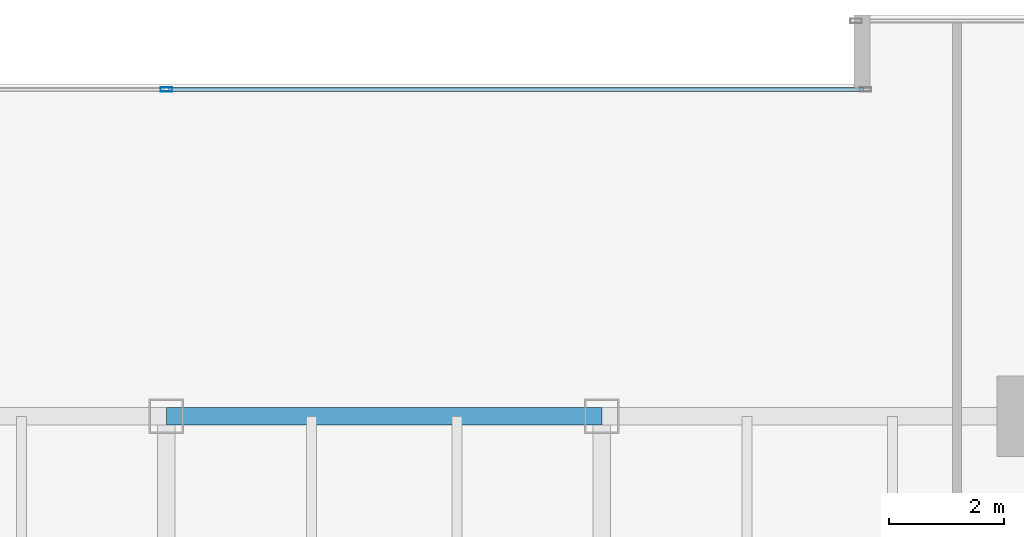
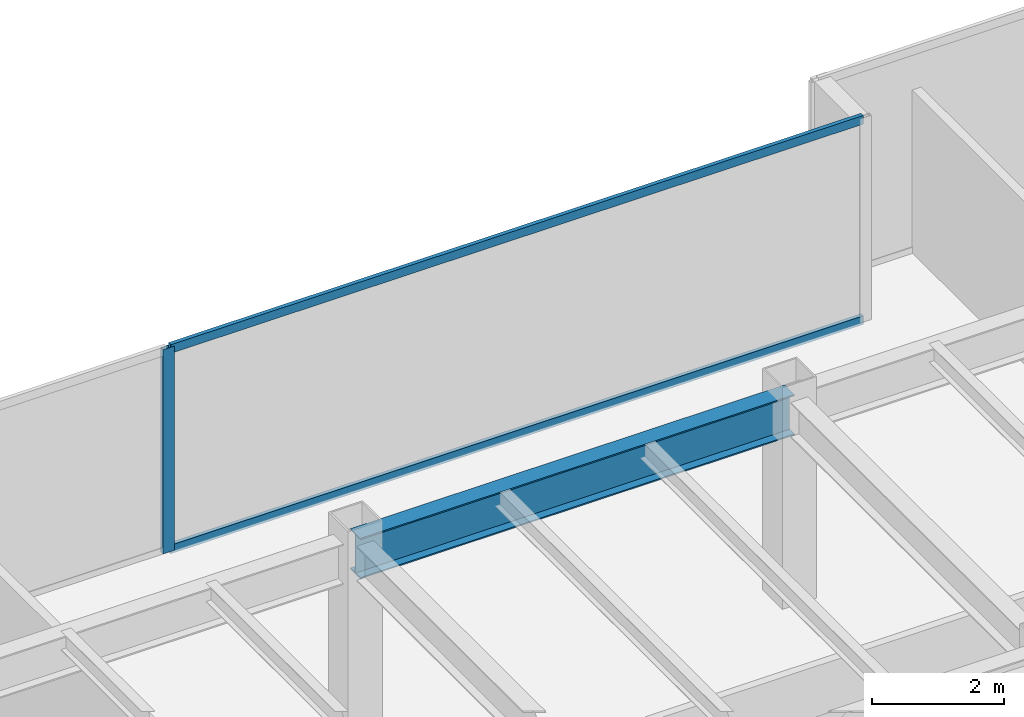
# One storey, part 18 of 35: 3 members, 1 beam, 1 element without a shape of its own.
"""IFC4 building model written with IfcOpenShell, lengths in metres."""

from ifc_helpers import new_model, si_unit, direction, frame, origin, origin_2d, place, context, subcontext, project, spatial, hollow_rectangle, i_section, extrude, source, transform, mapped, material, layer, layer_set, material_profile, profile_set, type_object, type_shapes, element, aggregate, save


model = new_model("IFC4")

# Units and contexts
model_context = context("Model", 3, precision=1e-05, world=origin(), true_north=direction((0.0, 1.0)))
body_context = subcontext(model_context, "Body", "Model", "MODEL_VIEW")
ifc_project = project(units=[si_unit("LENGTHUNIT", "METRE"), si_unit("AREAUNIT", "SQUARE_METRE"), si_unit("VOLUMEUNIT", "CUBIC_METRE"), si_unit("PLANEANGLEUNIT", "RADIAN"), si_unit("MASSUNIT", "GRAM", prefix="KILO")], contexts=[model_context])

# Site, building, storey
site_placement = place(None, origin())
site = spatial("IfcSite", under=ifc_project, at=site_placement, CompositionType="ELEMENT")
building_placement = place(site_placement, origin())
building = spatial("IfcBuilding", under=site, at=building_placement, Name="Haelvirn Gate Laboratories", CompositionType="ELEMENT")
storey_placement = place(building_placement, frame((0.0, 0.0, 90.800048828125)))
storey = spatial("IfcBuildingStorey", under=building, at=storey_placement, Name="L22", CompositionType="ELEMENT", Elevation=90.800048828125)

# Beam
ifc_material_1 = material(Name="Steel SM355", Category="steel")
ifc_material_profile_1 = material_profile(ifc_material_1, i_section(OverallWidth=0.300048828125, OverallDepth=0.75, WebThickness=0.013916015625, FlangeThickness=0.02392578125, at=origin_2d()), Name="H-750x300x14x24")
ifc_profile_set_1 = profile_set([ifc_material_profile_1], Name="Steel SM355")
beam_type = type_object("IfcBeamType", Name="BM-G-750", PredefinedType="BEAM", material=ifc_profile_set_1)
shared_shape_1 = source(origin(), body_context, "Body", "SweptSolid", [
    extrude(i_section(OverallWidth=0.300048828125, OverallDepth=0.75, WebThickness=0.013916015625, FlangeThickness=0.02392578125, at=origin_2d()), origin(), (0.0, 0.0, 1.0), 7.60009765625),
])
type_shapes(beam_type, [shared_shape_1])
beam_placement = place(storey_placement, frame((37.39990234375, 41.60009765625, 3.405029296875), z_axis=(1.0, 0.0, 0.0), x_axis=(0.0, 1.0, 0.0)))
element("IfcBeam", 1, at=beam_placement, inside=storey, type_object=beam_type, Name="L22 Primary Girder Y41.6 (37.4-45.0)", PredefinedType="BEAM", context=body_context, shape_type="MappedRepresentation", body=[
    mapped(shared_shape_1, transform((0.0, 0.0, 0.0), scale=1.0)),
])

# Curtain wall, members
ifc_material_2 = material(Name="Anodised bronze unitised aluminium & triple low-E glass", Category="aluminium")
ifc_layer = layer(ifc_material_2, 0.18408203125, Name="CW-SYS-2")
ifc_layer_set = layer_set([ifc_layer], Name="Anodised bronze unitised aluminium & triple low-E glass")
curtain_wall_type = type_object("IfcCurtainWallType", Name="CW-SYS-2", PredefinedType="NOTDEFINED", material=ifc_layer_set)
curtain_wall_placement = place(storey_placement, origin())
curtain_wall = element("IfcCurtainWall", 2, at=curtain_wall_placement, inside=storey, type_object=curtain_wall_type, Name="L22 Unitised Curtain Wall CW-L22-P0-E12-1", PredefinedType="NOTDEFINED")
ifc_material_3 = material(Name="Extruded aluminium 6063-T6 (anodised bronze)", Category="aluminium")
ifc_material_profile_2 = material_profile(ifc_material_3, hollow_rectangle(XDim=0.074951171875, YDim=0.199951171875, WallThickness=0.0048828125, at=origin_2d()), Name="CWM-200x75x5")
ifc_profile_set_2 = profile_set([ifc_material_profile_2], Name="Extruded aluminium 6063-T6 (anodised bronze)")
member_type_1 = type_object("IfcMemberType", Name="CWM-T200", PredefinedType="MULLION", material=ifc_profile_set_2)
shared_shape_2 = source(origin(), body_context, "Body", "SweptSolid", [
    extrude(hollow_rectangle(XDim=0.074951171875, YDim=0.199951171875, WallThickness=0.0048828125, at=origin_2d()), origin(), (0.0, 0.0, 1.0), 3.780029296875),
])
type_shapes(member_type_1, [shared_shape_2])
member_1_placement = place(storey_placement, frame((37.39990234375, 47.300048828125, 0.0), z_axis=(0.0, 0.0, 1.0), x_axis=(0.0, 1.0, 0.0)))
member_1 = element("IfcMember", 3, at=member_1_placement, type_object=member_type_1, Name="CW2 mullion 2", PredefinedType="MULLION", context=body_context, shape_type="MappedRepresentation", body=[
    mapped(shared_shape_2, transform((0.0, 0.0, 0.0), scale=1.0)),
])
ifc_material_profile_3 = material_profile(ifc_material_3, hollow_rectangle(XDim=0.070068359375, YDim=0.159912109375, WallThickness=0.0048828125, at=origin_2d()), Name="CWT-160x70x5")
ifc_profile_set_3 = profile_set([ifc_material_profile_3], Name="Extruded aluminium 6063-T6 (anodised bronze)")
member_type_2 = type_object("IfcMemberType", Name="CWT-T160", PredefinedType="USERDEFINED", material=ifc_profile_set_3)
shared_shape_3 = source(origin(), body_context, "Body", "SweptSolid", [
    extrude(hollow_rectangle(XDim=0.070068359375, YDim=0.159912109375, WallThickness=0.0048828125, at=origin_2d()), origin(), (0.0, 0.0, 1.0), 12.12744140625),
])
type_shapes(member_type_2, [shared_shape_3])
member_2_placement = place(storey_placement, frame((37.4375, 47.300048828125, 0.034912109375), z_axis=(1.0, 0.0, 0.0), x_axis=(0.0, 1.0, 0.0)))
member_2 = element("IfcMember", 4, at=member_2_placement, type_object=member_type_2, Name="CW2 transom 2.1", ObjectType="TRANSOM", PredefinedType="USERDEFINED", context=body_context, shape_type="MappedRepresentation", body=[
    mapped(shared_shape_3, transform((0.0, 0.0, 0.0), scale=1.0)),
])
member_3_placement = place(storey_placement, frame((37.4375, 47.300048828125, 3.744873046875), z_axis=(1.0, 0.0, 0.0), x_axis=(0.0, 1.0, 0.0)))
member_3 = element("IfcMember", 5, at=member_3_placement, type_object=member_type_2, Name="CW2 transom 2.2", ObjectType="TRANSOM", PredefinedType="USERDEFINED", context=body_context, shape_type="MappedRepresentation", body=[
    mapped(shared_shape_3, transform((0.0, 0.0, 0.0), scale=1.0)),
])
aggregate(curtain_wall, [member_1, member_2, member_3])

save(model, "model.ifc")
